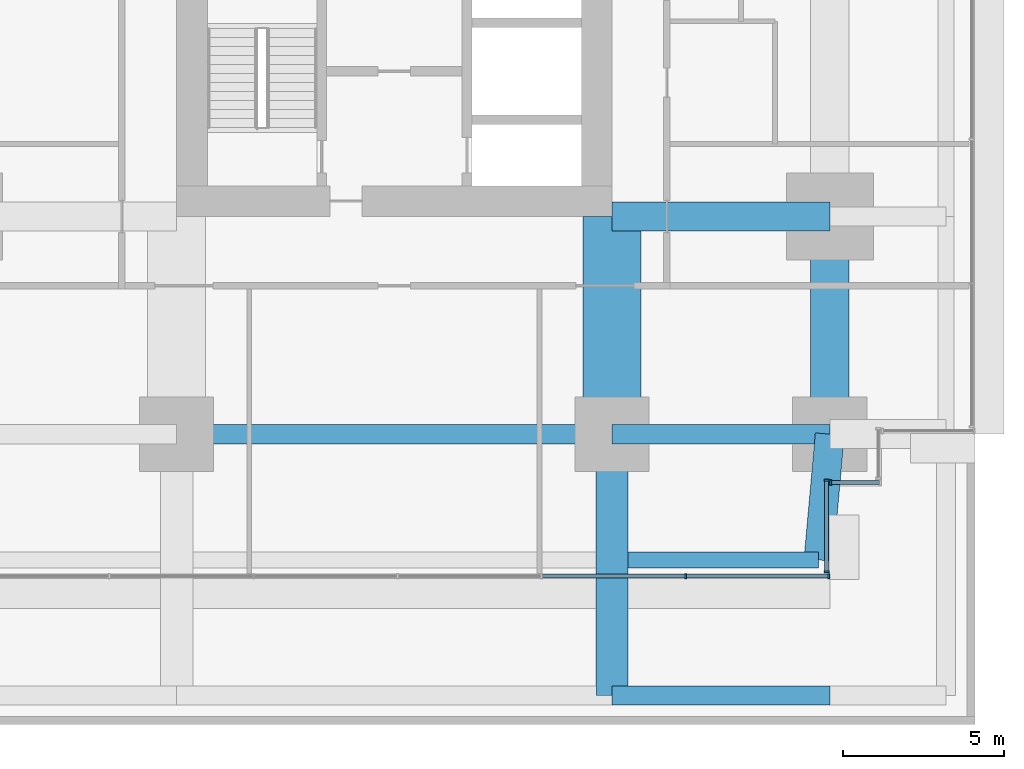
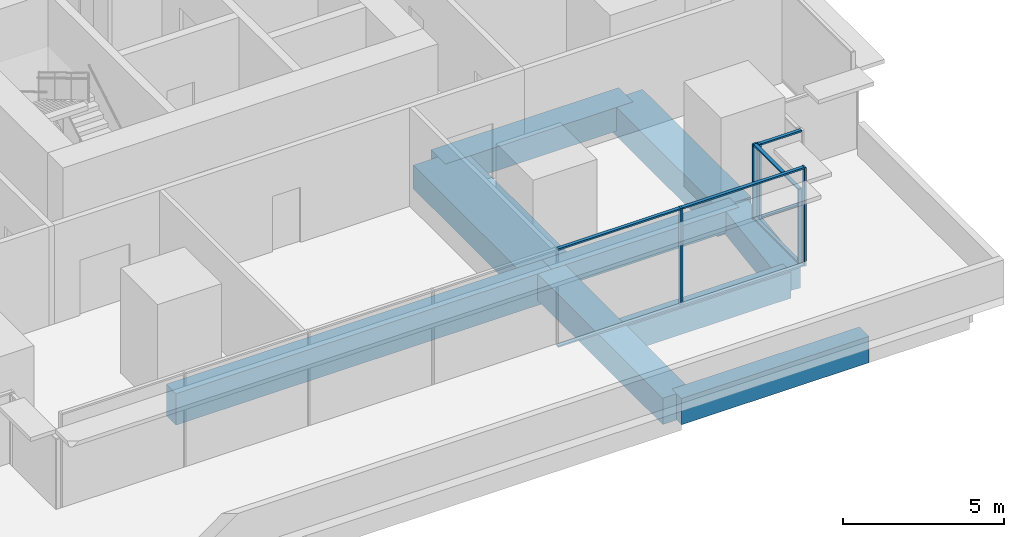
# One storey, part 14 of 34: 13 members, 9 beams, 3 elements without a shape of their own.
"""IFC4 building model written with IfcOpenShell, lengths in metres."""

from ifc_helpers import new_model, si_unit, direction, frame, origin, origin_2d, place, context, subcontext, project, spatial, rectangle, extrude, material, layer, layer_set, material_profile, profile_set, type_object, element, aggregate, save


model = new_model("IFC4")

# Units and contexts
model_context = context("Model", 3, precision=1e-05, world=origin(), true_north=direction((0.0, 1.0)))
body_context = subcontext(model_context, "Body", "Model", "MODEL_VIEW")
ifc_project = project(units=[si_unit("LENGTHUNIT", "METRE"), si_unit("AREAUNIT", "SQUARE_METRE"), si_unit("VOLUMEUNIT", "CUBIC_METRE"), si_unit("PLANEANGLEUNIT", "RADIAN"), si_unit("MASSUNIT", "GRAM", prefix="KILO")], contexts=[model_context])

# Site, building, storey
site_placement = place(None, origin())
site = spatial("IfcSite", under=ifc_project, at=site_placement, CompositionType="ELEMENT")
building_placement = place(site_placement, origin())
building = spatial("IfcBuilding", under=site, at=building_placement, Name="Namib Vertical Campus", CompositionType="ELEMENT")
storey_placement = place(building_placement, frame((0.0, 0.0, 21.0)))
storey = spatial("IfcBuildingStorey", under=building, at=storey_placement, Name="L04", CompositionType="ELEMENT", Elevation=21.0)

# Curtain wall, members
ifc_material_1 = material(Name="Black aluminium curtain wall", Category="aluminium")
ifc_layer = layer(ifc_material_1, 0.199951171875)
ifc_layer_set = layer_set([ifc_layer], Name="Lounge curtain wall CW-L4")
curtain_wall_type = type_object("IfcCurtainWallType", Name="Lounge curtain wall CW-L4", PredefinedType="USERDEFINED", material=ifc_layer_set)
curtain_wall_1_placement = place(storey_placement, origin())
curtain_wall_1 = element("IfcCurtainWall", 1, at=curtain_wall_1_placement, inside=storey, type_object=curtain_wall_type, Name="Curtain wall CW-L4 L04 F01-1", ObjectType="CURTAIN WALL", PredefinedType="USERDEFINED")
ifc_material_2 = material(Name="Black anodised aluminium", Category="aluminium")
ifc_material_profile_1 = material_profile(ifc_material_2, rectangle(XDim=0.06005859375, YDim=0.159912109375, at=origin_2d()))
ifc_profile_set_1 = profile_set([ifc_material_profile_1], Name="Black anodised aluminium")
member_type_1 = type_object("IfcMemberType", Name="Curtain wall mullion 60x160", PredefinedType="MULLION", material=ifc_profile_set_1)
member_1_placement = place(storey_placement, frame((90.033447265625, 0.10009765625, 0.0), z_axis=(0.0, 0.0, 1.0), x_axis=(1.0, 0.0, 0.0)))
member_1 = element("IfcMember", 2, at=member_1_placement, type_object=member_type_1, Name="CW-L4 mullion 6", PredefinedType="MULLION", context=body_context, shape_type="SweptSolid", body=[
    extrude(rectangle(XDim=0.06005859375, YDim=0.159912109375, at=origin_2d()), origin(), (0.0, 0.0, 1.0), 3.75),
])
member_2_placement = place(storey_placement, frame((94.469970703125, 0.10009765625, 0.0), z_axis=(0.0, 0.0, 1.0), x_axis=(1.0, 0.0, 0.0)))
member_2 = element("IfcMember", 3, at=member_2_placement, type_object=member_type_1, Name="CW-L4 mullion 7", PredefinedType="MULLION", context=body_context, shape_type="SweptSolid", body=[
    extrude(rectangle(XDim=0.06005859375, YDim=0.159912109375, at=origin_2d()), origin(), (0.0, 0.0, 1.0), 3.75),
])

curtain_wall_2_placement = place(storey_placement, origin())
curtain_wall_2 = element("IfcCurtainWall", 4, at=curtain_wall_2_placement, inside=storey, type_object=curtain_wall_type, Name="Curtain wall CW-L4 L04 F02-1", ObjectType="CURTAIN WALL", PredefinedType="USERDEFINED")
member_3_placement = place(storey_placement, frame((94.39990234375, 0.22998046875, 0.0), z_axis=(0.0, 0.0, 1.0), x_axis=(0.0, 1.0, 0.0)))
member_3 = element("IfcMember", 5, at=member_3_placement, type_object=member_type_1, Name="CW-L4 mullion 1", PredefinedType="MULLION", context=body_context, shape_type="SweptSolid", body=[
    extrude(rectangle(XDim=0.06005859375, YDim=0.159912109375, at=origin_2d()), origin(), (0.0, 0.0, 1.0), 2.85009765625),
])
member_4_placement = place(storey_placement, frame((94.39990234375, 3.070068359375, 0.0), z_axis=(0.0, 0.0, 1.0), x_axis=(0.0, 1.0, 0.0)))
member_4 = element("IfcMember", 6, at=member_4_placement, type_object=member_type_1, Name="CW-L4 mullion 2", PredefinedType="MULLION", context=body_context, shape_type="SweptSolid", body=[
    extrude(rectangle(XDim=0.06005859375, YDim=0.159912109375, at=origin_2d()), origin(), (0.0, 0.0, 1.0), 2.85009765625),
])

# Curtain wall, member
curtain_wall_3_placement = place(storey_placement, origin())
curtain_wall_3 = element("IfcCurtainWall", 7, at=curtain_wall_3_placement, inside=storey, type_object=curtain_wall_type, Name="Curtain wall CW-L4 L04 F03-1", ObjectType="CURTAIN WALL", PredefinedType="USERDEFINED")
member_5_placement = place(storey_placement, frame((94.530029296875, 3.0, 0.0), z_axis=(0.0, 0.0, 1.0), x_axis=(1.0, 0.0, 0.0)))
member_5 = element("IfcMember", 8, at=member_5_placement, type_object=member_type_1, Name="CW-L4 mullion 1", PredefinedType="MULLION", context=body_context, shape_type="SweptSolid", body=[
    extrude(rectangle(XDim=0.06005859375, YDim=0.159912109375, at=origin_2d()), origin(), (0.0, 0.0, 1.0), 2.85009765625),
])

# Member
ifc_material_3 = material(Name="Black anodised aluminium", Category="aluminium")
ifc_material_profile_2 = material_profile(ifc_material_3, rectangle(XDim=0.06005859375, YDim=0.1201171875, at=origin_2d()))
ifc_profile_set_2 = profile_set([ifc_material_profile_2], Name="Black anodised aluminium")
member_type_2 = type_object("IfcMemberType", Name="Curtain wall transom 60x120", PredefinedType="USERDEFINED", material=ifc_profile_set_2)
member_6_placement = place(storey_placement, frame((85.5966796875, 0.10009765625, 0.030029296875), z_axis=(1.0, 0.0, 0.0), x_axis=(0.0, 0.0, 1.0)))
member_6 = element("IfcMember", 9, at=member_6_placement, type_object=member_type_2, Name="CW-L4 transom 5.1", ObjectType="TRANSOM", PredefinedType="USERDEFINED", context=body_context, shape_type="SweptSolid", body=[
    extrude(rectangle(XDim=0.06005859375, YDim=0.1201171875, at=origin_2d()), origin(), (0.0, 0.0, 1.0), 4.40673828125),
])

member_7_placement = place(storey_placement, frame((85.5966796875, 0.10009765625, 3.719970703125), z_axis=(1.0, 0.0, 0.0), x_axis=(0.0, 0.0, 1.0)))
member_7 = element("IfcMember", 10, at=member_7_placement, type_object=member_type_2, Name="CW-L4 transom 5.2", ObjectType="TRANSOM", PredefinedType="USERDEFINED", context=body_context, shape_type="SweptSolid", body=[
    extrude(rectangle(XDim=0.06005859375, YDim=0.1201171875, at=origin_2d()), origin(), (0.0, 0.0, 1.0), 4.40673828125),
])

member_8_placement = place(storey_placement, frame((90.063232421875, 0.10009765625, 0.030029296875), z_axis=(1.0, 0.0, 0.0), x_axis=(0.0, 0.0, 1.0)))
member_8 = element("IfcMember", 11, at=member_8_placement, type_object=member_type_2, Name="CW-L4 transom 6.1", ObjectType="TRANSOM", PredefinedType="USERDEFINED", context=body_context, shape_type="SweptSolid", body=[
    extrude(rectangle(XDim=0.06005859375, YDim=0.1201171875, at=origin_2d()), origin(), (0.0, 0.0, 1.0), 4.376708984375),
])

member_9_placement = place(storey_placement, frame((90.063232421875, 0.10009765625, 3.719970703125), z_axis=(1.0, 0.0, 0.0), x_axis=(0.0, 0.0, 1.0)))
member_9 = element("IfcMember", 12, at=member_9_placement, type_object=member_type_2, Name="CW-L4 transom 6.2", ObjectType="TRANSOM", PredefinedType="USERDEFINED", context=body_context, shape_type="SweptSolid", body=[
    extrude(rectangle(XDim=0.06005859375, YDim=0.1201171875, at=origin_2d()), origin(), (0.0, 0.0, 1.0), 4.376708984375),
])

aggregate(curtain_wall_1, [member_1, member_2, member_6, member_7, member_8, member_9])

member_10_placement = place(storey_placement, frame((94.39990234375, 0.260009765625, 0.030029296875), z_axis=(0.0, 1.0, 0.0), x_axis=(0.0, 0.0, 1.0)))
member_10 = element("IfcMember", 13, at=member_10_placement, type_object=member_type_2, Name="CW-L4 transom 1.1", ObjectType="TRANSOM", PredefinedType="USERDEFINED", context=body_context, shape_type="SweptSolid", body=[
    extrude(rectangle(XDim=0.06005859375, YDim=0.1201171875, at=origin_2d()), origin(), (0.0, 0.0, 1.0), 2.780029296875),
])

member_11_placement = place(storey_placement, frame((94.39990234375, 0.260009765625, 2.820068359375), z_axis=(0.0, 1.0, 0.0), x_axis=(0.0, 0.0, 1.0)))
member_11 = element("IfcMember", 14, at=member_11_placement, type_object=member_type_2, Name="CW-L4 transom 1.2", ObjectType="TRANSOM", PredefinedType="USERDEFINED", context=body_context, shape_type="SweptSolid", body=[
    extrude(rectangle(XDim=0.06005859375, YDim=0.1201171875, at=origin_2d()), origin(), (0.0, 0.0, 1.0), 2.780029296875),
])

aggregate(curtain_wall_2, [member_3, member_4, member_10, member_11])

member_12_placement = place(storey_placement, frame((94.56005859375, 3.0, 0.030029296875), z_axis=(1.0, 0.0, 0.0), x_axis=(0.0, 0.0, 1.0)))
member_12 = element("IfcMember", 15, at=member_12_placement, type_object=member_type_2, Name="CW-L4 transom 1.1", ObjectType="TRANSOM", PredefinedType="USERDEFINED", context=body_context, shape_type="SweptSolid", body=[
    extrude(rectangle(XDim=0.06005859375, YDim=0.1201171875, at=origin_2d()), origin(), (0.0, 0.0, 1.0), 1.47998046875),
])

member_13_placement = place(storey_placement, frame((94.56005859375, 3.0, 2.820068359375), z_axis=(1.0, 0.0, 0.0), x_axis=(0.0, 0.0, 1.0)))
member_13 = element("IfcMember", 16, at=member_13_placement, type_object=member_type_2, Name="CW-L4 transom 1.2", ObjectType="TRANSOM", PredefinedType="USERDEFINED", context=body_context, shape_type="SweptSolid", body=[
    extrude(rectangle(XDim=0.06005859375, YDim=0.1201171875, at=origin_2d()), origin(), (0.0, 0.0, 1.0), 1.47998046875),
])

aggregate(curtain_wall_3, [member_5, member_12, member_13])

# Beams
ifc_material_4 = material(Name="Concrete C40/50", Category="concrete")
ifc_material_profile_3 = material_profile(ifc_material_4, rectangle(XDim=0.89990234375, YDim=0.89990234375, at=origin_2d()))
ifc_profile_set_3 = profile_set([ifc_material_profile_3], Name="Concrete C40/50")
beam_type_1 = type_object("IfcBeamType", Name="Face girder RC 900x900", PredefinedType="BEAM", material=ifc_profile_set_3)
beam_1_placement = place(storey_placement, frame((94.5, 11.25, -0.75), z_axis=(-1.0, 0.0, 0.0), x_axis=(0.0, -1.0, 0.0)))
element("IfcBeam", 17, at=beam_1_placement, inside=storey, type_object=beam_type_1, Name="Beam B10 L04", PredefinedType="BEAM", context=body_context, shape_type="SweptSolid", body=[
    extrude(rectangle(XDim=0.89990234375, YDim=0.89990234375, at=origin_2d()), origin(), (0.0, 0.0, 1.0), 6.75),
])
ifc_material_5 = material(Name="Concrete C40/50", Category="concrete")
ifc_material_profile_4 = material_profile(ifc_material_5, rectangle(XDim=1.199951171875, YDim=1.10009765625, at=origin_2d()))
ifc_profile_set_4 = profile_set([ifc_material_profile_4], Name="Concrete C40/50")
beam_type_2 = type_object("IfcBeamType", Name="Face ring beam RC 1200x1100", PredefinedType="BEAM", material=ifc_profile_set_4)
beam_2_placement = place(storey_placement, frame((94.5, 4.5, -0.85009765625), z_axis=(0.0, 1.0, 0.0), x_axis=(-1.0, 0.0, 0.0)))
element("IfcBeam", 18, at=beam_2_placement, inside=storey, type_object=beam_type_2, Name="Beam B11 L04", PredefinedType="BEAM", context=body_context, shape_type="SweptSolid", body=[
    extrude(rectangle(XDim=1.199951171875, YDim=1.10009765625, at=origin_2d()), origin(), (0.0, 0.0, 1.0), 6.75),
])
ifc_material_6 = material(Name="Concrete C40/50", Category="concrete")
ifc_material_profile_5 = material_profile(ifc_material_6, rectangle(XDim=0.60009765625, YDim=1.199951171875, at=origin_2d()))
ifc_profile_set_5 = profile_set([ifc_material_profile_5], Name="Concrete C40/50")
beam_type_3 = type_object("IfcBeamType", Name="Long-span ring beam RC 600x1200", PredefinedType="BEAM", material=ifc_profile_set_5)
beam_3_placement = place(storey_placement, frame((74.25, 4.5, -0.89990234375), z_axis=(1.0, 0.0, 0.0), x_axis=(0.0, 1.0, 0.0)))
element("IfcBeam", 19, at=beam_3_placement, inside=storey, type_object=beam_type_3, Name="Beam B9 L04", PredefinedType="BEAM", context=body_context, shape_type="SweptSolid", body=[
    extrude(rectangle(XDim=0.60009765625, YDim=1.199951171875, at=origin_2d()), origin(), (0.0, 0.0, 1.0), 13.5),
])
ifc_material_7 = material(Name="Concrete C40/50", Category="concrete")
ifc_material_profile_6 = material_profile(ifc_material_7, rectangle(XDim=1.800048828125, YDim=0.89990234375, at=origin_2d()))
ifc_profile_set_6 = profile_set([ifc_material_profile_6], Name="Concrete C40/50")
beam_type_4 = type_object("IfcBeamType", Name="Outrigger line girder RC 1800x900", PredefinedType="BEAM", material=ifc_profile_set_6)
beam_4_placement = place(storey_placement, frame((87.75, 4.5, -0.75), z_axis=(0.0, 1.0, 0.0), x_axis=(-1.0, 0.0, 0.0)))
element("IfcBeam", 20, at=beam_4_placement, inside=storey, type_object=beam_type_4, Name="Beam B12 L04", PredefinedType="BEAM", context=body_context, shape_type="SweptSolid", body=[
    extrude(rectangle(XDim=1.800048828125, YDim=0.89990234375, at=origin_2d()), origin(), (0.0, 0.0, 1.0), 6.75),
])
ifc_material_8 = material(Name="Concrete C40/50", Category="concrete")
ifc_material_profile_7 = material_profile(ifc_material_8, rectangle(XDim=0.60009765625, YDim=1.0, at=origin_2d()))
ifc_profile_set_7 = profile_set([ifc_material_profile_7], Name="Concrete C40/50")
beam_type_5 = type_object("IfcBeamType", Name="Podium beam RC 600x1000", PredefinedType="BEAM", material=ifc_profile_set_7)
beam_5_placement = place(storey_placement, frame((87.75, -3.60009765625, -0.800048828125), z_axis=(1.0, 0.0, 0.0), x_axis=(0.0, 1.0, 0.0)))
element("IfcBeam", 21, at=beam_5_placement, inside=storey, type_object=beam_type_5, Name="Beam PB1 L04", PredefinedType="BEAM", context=body_context, shape_type="SweptSolid", body=[
    extrude(rectangle(XDim=0.60009765625, YDim=1.0, at=origin_2d()), origin(), (0.0, 0.0, 1.0), 6.75),
])
ifc_material_9 = material(Name="Concrete C40/50", Category="concrete")
ifc_material_profile_8 = material_profile(ifc_material_9, rectangle(XDim=0.89990234375, YDim=0.89990234375, at=origin_2d()))
ifc_profile_set_8 = profile_set([ifc_material_profile_8], Name="Concrete C40/50")
beam_type_6 = type_object("IfcBeamType", Name="Podium roof corner cantilever RC 900x900", PredefinedType="BEAM", material=ifc_profile_set_8)
beam_6_placement = place(storey_placement, frame((94.5, 4.5, -0.75), z_axis=(-0.089411326146, -0.995994786511, 0.0), x_axis=(0.995994786511, -0.089411326146, 0.0)))
element("IfcBeam", 22, at=beam_6_placement, inside=storey, type_object=beam_type_6, Name="Beam B13 L04", PredefinedType="BEAM", context=body_context, shape_type="SweptSolid", body=[
    extrude(rectangle(XDim=0.89990234375, YDim=0.89990234375, at=origin_2d()), origin(), (0.0, 0.0, 1.0), 3.91552734375),
])
ifc_material_10 = material(Name="Concrete C40/50", Category="concrete")
ifc_material_profile_9 = material_profile(ifc_material_10, rectangle(XDim=0.5, YDim=1.0, at=origin_2d()))
ifc_profile_set_9 = profile_set([ifc_material_profile_9], Name="Concrete C40/50")
beam_type_7 = type_object("IfcBeamType", Name="Podium roof edge beam RC 500x1000", PredefinedType="SPANDREL", material=ifc_profile_set_9)
beam_7_placement = place(storey_placement, frame((88.25, 0.60009765625, -0.800048828125), z_axis=(1.0, 0.0, 0.0), x_axis=(0.0, 1.0, 0.0)))
element("IfcBeam", 23, at=beam_7_placement, inside=storey, type_object=beam_type_7, Name="Beam B8 L04", PredefinedType="SPANDREL", context=body_context, shape_type="SweptSolid", body=[
    extrude(rectangle(XDim=0.5, YDim=1.0, at=origin_2d()), origin(), (0.0, 0.0, 1.0), 5.89990234375),
])
ifc_material_11 = material(Name="Concrete C40/50", Category="concrete")
ifc_material_profile_10 = material_profile(ifc_material_11, rectangle(XDim=1.0, YDim=1.0, at=origin_2d()))
ifc_profile_set_10 = profile_set([ifc_material_profile_10], Name="Concrete C40/50")
beam_type_8 = type_object("IfcBeamType", Name="Podium tie beam RC 1000x1000", PredefinedType="BEAM", material=ifc_profile_set_10)
beam_8_placement = place(storey_placement, frame((87.75, -3.60009765625, -0.800048828125), z_axis=(0.0, 1.0, 0.0), x_axis=(-1.0, 0.0, 0.0)))
element("IfcBeam", 24, at=beam_8_placement, inside=storey, type_object=beam_type_8, Name="Beam PB3 L04", PredefinedType="BEAM", context=body_context, shape_type="SweptSolid", body=[
    extrude(rectangle(XDim=1.0, YDim=1.0, at=origin_2d()), origin(), (0.0, 0.0, 1.0), 8.10009765625),
])
ifc_material_12 = material(Name="Concrete C40/50", Category="concrete")
ifc_material_profile_11 = material_profile(ifc_material_12, rectangle(XDim=0.60009765625, YDim=0.800048828125, at=origin_2d()))
ifc_profile_set_11 = profile_set([ifc_material_profile_11], Name="Concrete C40/50")
beam_type_9 = type_object("IfcBeamType", Name="Ring beam RC 600x800", PredefinedType="BEAM", material=ifc_profile_set_11)
beam_9_placement = place(storey_placement, frame((87.75, 4.5, -0.699951171875), z_axis=(1.0, 0.0, 0.0), x_axis=(0.0, 1.0, 0.0)))
element("IfcBeam", 25, at=beam_9_placement, inside=storey, type_object=beam_type_9, Name="Beam B1 L04", PredefinedType="BEAM", context=body_context, shape_type="SweptSolid", body=[
    extrude(rectangle(XDim=0.60009765625, YDim=0.800048828125, at=origin_2d()), origin(), (0.0, 0.0, 1.0), 6.75),
])

save(model, "model.ifc")
